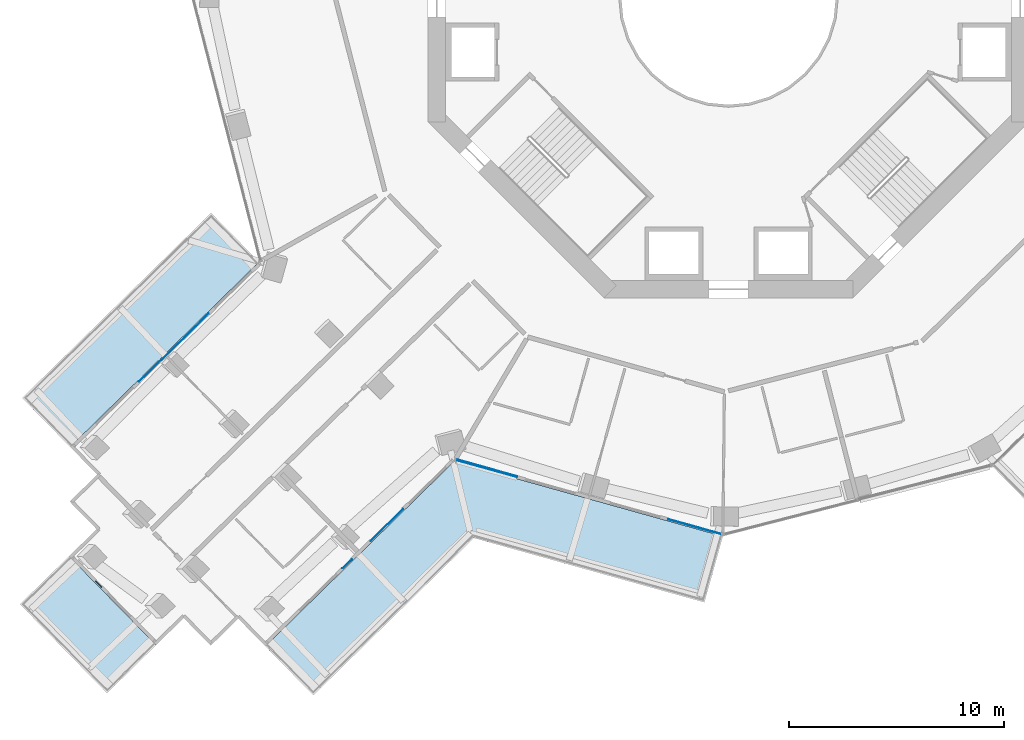
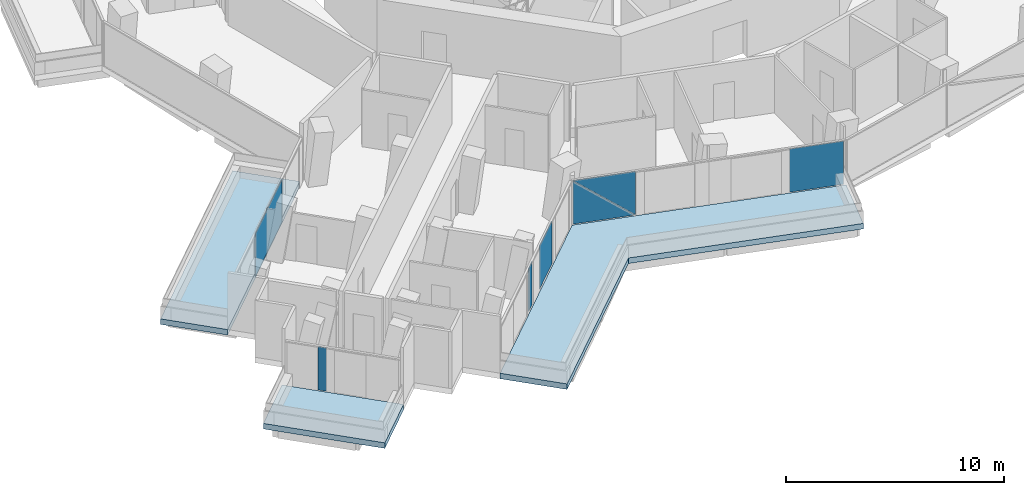
# One storey, part 13 of 26: 7 plates, 3 slabs, 4 elements without a shape of their own.
"""IFC4 building model written with IfcOpenShell, lengths in metres."""

from ifc_helpers import new_model, si_unit, direction, frame, origin, origin_2d, place, context, subcontext, project, spatial, polyline, rectangle, outline, extrude, material, layer, layer_set, type_object, element, aggregate, save


model = new_model("IFC4")

# Units and contexts
model_context = context("Model", 3, precision=1e-05, world=origin(), true_north=direction((0.0, 1.0)))
body_context = subcontext(model_context, "Body", "Model", "MODEL_VIEW")
ifc_project = project(units=[si_unit("LENGTHUNIT", "METRE"), si_unit("AREAUNIT", "SQUARE_METRE"), si_unit("VOLUMEUNIT", "CUBIC_METRE"), si_unit("PLANEANGLEUNIT", "RADIAN"), si_unit("MASSUNIT", "GRAM", prefix="KILO")], contexts=[model_context])

# Site, building, storey
site_placement = place(None, origin())
site = spatial("IfcSite", under=ifc_project, at=site_placement, CompositionType="ELEMENT")
building_placement = place(site_placement, origin())
building = spatial("IfcBuilding", under=site, at=building_placement, Name="Verdalira Terraces Hotel", CompositionType="ELEMENT")
storey_placement = place(building_placement, frame((0.0, 0.0, 93.0)))
storey = spatial("IfcBuildingStorey", under=building, at=storey_placement, Name="L21", CompositionType="ELEMENT", Elevation=93.0)

# Slabs
ifc_material_1 = material(Name="Precast concrete C40/50", Category="concrete")
ifc_layer_1 = layer(ifc_material_1, 0.31005859375)
ifc_layer_set_1 = layer_set([ifc_layer_1], Name="Balcony deck 310")
slab_type = type_object("IfcSlabType", Name="Balcony deck 310", PredefinedType="FLOOR", material=ifc_layer_set_1)
slab_1_placement = place(storey_placement, frame((0.0, 0.0, -0.310059)))
element("IfcSlab", 1, at=slab_1_placement, inside=storey, type_object=slab_type, Name="Balcony deck", PredefinedType="FLOOR", context=body_context, shape_type="SweptSolid", body=[
    extrude(outline(polyline([(-32.923828, -18.665039), (-30.684814, -20.951172), (-21.879639, -12.328613), (-24.118652, -10.042236), (-32.923828, -18.665039)])), origin(), (0.0, 0.0, 1.0), 0.310059),
])
slab_2_placement = place(storey_placement, frame((0.0, 0.0, -0.310059)))
element("IfcSlab", 2, at=slab_2_placement, inside=storey, type_object=slab_type, Name="Balcony deck", PredefinedType="FLOOR", context=body_context, shape_type="SweptSolid", body=[
    extrude(outline(polyline([(-28.966553, -32.425049), (-26.680176, -30.186035), (-30.738281, -26.042236), (-33.024414, -28.281006), (-28.966553, -32.425049)])), origin(), (0.0, 0.0, 1.0), 0.310059),
])
slab_3_placement = place(storey_placement, frame((0.0, 0.0, -0.310059)))
element("IfcSlab", 3, at=slab_3_placement, inside=storey, type_object=slab_type, Name="Balcony deck", PredefinedType="FLOOR", context=body_context, shape_type="SweptSolid", body=[
    extrude(outline(polyline([(-1.123535, -28.194824), (-0.262939, -25.112793), (-12.78418, -21.616699), (-21.589355, -30.239502), (-19.350342, -32.525635), (-11.865234, -25.195801), (-1.123535, -28.194824)])), origin(), (0.0, 0.0, 1.0), 0.310059),
])

# Curtain wall, plates
ifc_material_2 = material(Name="Clear glass", Category="glass")
ifc_layer_2 = layer(ifc_material_2, 0.14990234375)
ifc_layer_set_2 = layer_set([ifc_layer_2], Name="CW1 curtain wall")
curtain_wall_type_1 = type_object("IfcCurtainWallType", Name="CW1 curtain wall", PredefinedType="NOTDEFINED", material=ifc_layer_set_2)
curtain_wall_1_placement = place(storey_placement, origin())
curtain_wall_1 = element("IfcCurtainWall", 4, at=curtain_wall_1_placement, inside=storey, type_object=curtain_wall_type_1, Name="CW1 curtain wall L21 edge 25", PredefinedType="NOTDEFINED")
ifc_material_3 = material(Name="Clear glass", Category="glass")
ifc_layer_3 = layer(ifc_material_3, 0.028076171875)
ifc_layer_set_3 = layer_set([ifc_layer_3], Name="CW1 glass unit 28")
plate_type_1 = type_object("IfcPlateType", Name="CW1 glass unit 28", PredefinedType="CURTAIN_PANEL", material=ifc_layer_set_3)
plate_1_placement = place(storey_placement, frame((-11.274658, -21.945801, 1.212402), z_axis=(-0.268919821, -0.963162567, 0.0), x_axis=(0.963162567, -0.268919821, 0.0)))
plate_1 = element("IfcPlate", 5, at=plate_1_placement, type_object=plate_type_1, Name="CW1 glass unit", PredefinedType="CURTAIN_PANEL", context=body_context, shape_type="SweptSolid", body=[
    extrude(outline(polyline([(-1.482422, -1.212402), (1.482422, -1.212402), (-1.482422, 1.212402), (-1.482422, -1.212402)])), origin(), (0.0, 0.0, 1.0), 0.028076),
])
plate_2_placement = place(storey_placement, frame((-11.266846, -21.917725, 1.212402), z_axis=(-0.268919821, -0.963162567, 0.0), x_axis=(0.963162567, -0.268919821, 0.0)))
plate_2 = element("IfcPlate", 6, at=plate_2_placement, type_object=plate_type_1, Name="CW1 glass unit", PredefinedType="CURTAIN_PANEL", context=body_context, shape_type="SweptSolid", body=[
    extrude(outline(polyline([(1.482422, -1.212402), (1.482422, 1.212402), (-1.482422, 1.212402), (1.482422, -1.212402)])), origin(), (0.0, 0.0, 1.0), 0.028076),
])
plate_3_placement = place(storey_placement, frame((-1.574219, -24.668701, 0.0), z_axis=(0.0, 0.0, 1.0), x_axis=(0.963162567, -0.268919821, 0.0)))
plate_3 = element("IfcPlate", 7, at=plate_3_placement, type_object=plate_type_1, Name="CW1 glass unit", PredefinedType="CURTAIN_PANEL", context=body_context, shape_type="SweptSolid", body=[
    extrude(rectangle(XDim=2.564209, YDim=0.028076, at=origin_2d()), origin(), (0.0, 0.0, 1.0), 2.425049),
])
aggregate(curtain_wall_1, [plate_1, plate_2, plate_3])

# Curtain wall, plate
ifc_material_4 = material(Name="Clear glass", Category="glass")
ifc_layer_4 = layer(ifc_material_4, 0.14990234375)
ifc_layer_set_4 = layer_set([ifc_layer_4], Name="CW2 curtain wall")
curtain_wall_type_2 = type_object("IfcCurtainWallType", Name="CW2 curtain wall", PredefinedType="NOTDEFINED", material=ifc_layer_set_4)
curtain_wall_2_placement = place(storey_placement, origin())
curtain_wall_2 = element("IfcCurtainWall", 8, at=curtain_wall_2_placement, inside=storey, type_object=curtain_wall_type_2, Name="CW2 curtain wall L21 edge 14", PredefinedType="NOTDEFINED")
ifc_material_5 = material(Name="Clear glass", Category="glass")
ifc_layer_5 = layer(ifc_material_5, 0.031982421875)
ifc_layer_set_5 = layer_set([ifc_layer_5], Name="CW2 glass unit 32")
plate_type_2 = type_object("IfcPlateType", Name="CW2 glass unit 32", PredefinedType="CURTAIN_PANEL", material=ifc_layer_set_5)
plate_4_placement = place(storey_placement, frame((-25.848633, -16.320312, 0.0), z_axis=(0.0, 0.0, 1.0), x_axis=(-0.71447268, -0.699663341, 0.0)))
plate_4 = element("IfcPlate", 9, at=plate_4_placement, type_object=plate_type_2, Name="CW2 glass unit", PredefinedType="CURTAIN_PANEL", context=body_context, shape_type="SweptSolid", body=[
    extrude(rectangle(XDim=4.529785, YDim=0.031982, at=origin_2d()), origin(), (0.0, 0.0, 1.0), 2.425049),
])
aggregate(curtain_wall_2, [plate_4])

# Curtain wall, plates
curtain_wall_3_placement = place(storey_placement, origin())
curtain_wall_3 = element("IfcCurtainWall", 10, at=curtain_wall_3_placement, inside=storey, type_object=curtain_wall_type_2, Name="CW2 curtain wall L21 edge 24", PredefinedType="NOTDEFINED")
plate_5_placement = place(storey_placement, frame((-17.772217, -26.396484, 0.0), z_axis=(0.0, 0.0, 1.0), x_axis=(0.71447268, 0.699663341, 0.0)))
plate_5 = element("IfcPlate", 11, at=plate_5_placement, type_object=plate_type_2, Name="CW2 glass unit", PredefinedType="CURTAIN_PANEL", context=body_context, shape_type="SweptSolid", body=[
    extrude(rectangle(XDim=0.592529, YDim=0.031982, at=origin_2d()), origin(), (0.0, 0.0, 1.0), 2.425049),
])
plate_6_placement = place(storey_placement, frame((-15.924316, -24.586914, 0.0), z_axis=(0.0, 0.0, 1.0), x_axis=(0.71447268, 0.699663341, 0.0)))
plate_6 = element("IfcPlate", 12, at=plate_6_placement, type_object=plate_type_2, Name="CW2 glass unit", PredefinedType="CURTAIN_PANEL", context=body_context, shape_type="SweptSolid", body=[
    extrude(rectangle(XDim=2.10376, YDim=0.031982, at=origin_2d()), origin(), (0.0, 0.0, 1.0), 2.425049),
])
aggregate(curtain_wall_3, [plate_5, plate_6])

# Curtain wall, plate
ifc_material_6 = material(Name="Clear glass", Category="glass")
ifc_layer_6 = layer(ifc_material_6, 0.14990234375)
ifc_layer_set_6 = layer_set([ifc_layer_6], Name="CW3 curtain wall")
curtain_wall_type_3 = type_object("IfcCurtainWallType", Name="CW3 curtain wall", PredefinedType="NOTDEFINED", material=ifc_layer_set_6)
curtain_wall_4_placement = place(storey_placement, origin())
curtain_wall_4 = element("IfcCurtainWall", 13, at=curtain_wall_4_placement, inside=storey, type_object=curtain_wall_type_3, Name="CW3 curtain wall L21 edge 19", PredefinedType="NOTDEFINED")
ifc_material_7 = material(Name="Clear glass", Category="glass")
ifc_layer_7 = layer(ifc_material_7, 0.035888671875)
ifc_layer_set_7 = layer_set([ifc_layer_7], Name="CW3 glass unit 36")
plate_type_3 = type_object("IfcPlateType", Name="CW3 glass unit 36", PredefinedType="CURTAIN_PANEL", material=ifc_layer_set_7)
plate_7_placement = place(storey_placement, frame((-29.356934, -27.345459, 0.0), z_axis=(0.0, 0.0, 1.0), x_axis=(0.699663341, -0.71447268, 0.0)))
plate_7 = element("IfcPlate", 14, at=plate_7_placement, type_object=plate_type_3, Name="CW3 glass unit", PredefinedType="CURTAIN_PANEL", context=body_context, shape_type="SweptSolid", body=[
    extrude(rectangle(XDim=0.404541, YDim=0.035889, at=origin_2d()), origin(), (0.0, 0.0, 1.0), 2.425049),
])
aggregate(curtain_wall_4, [plate_7])

save(model, "model.ifc")
